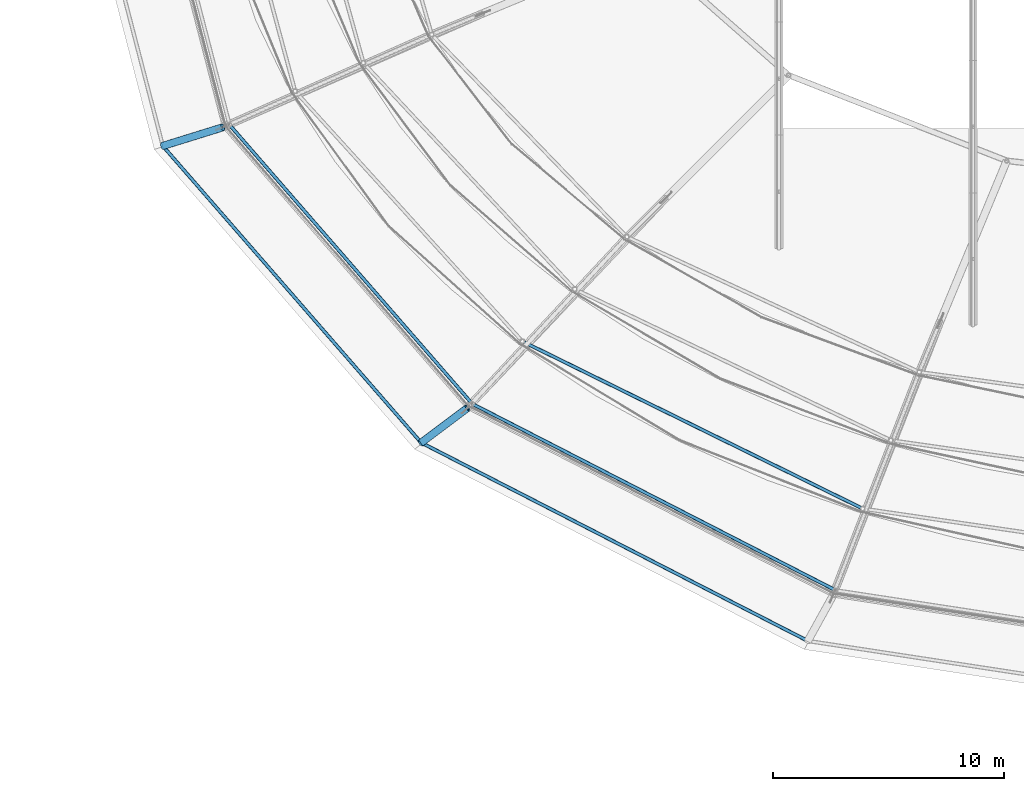
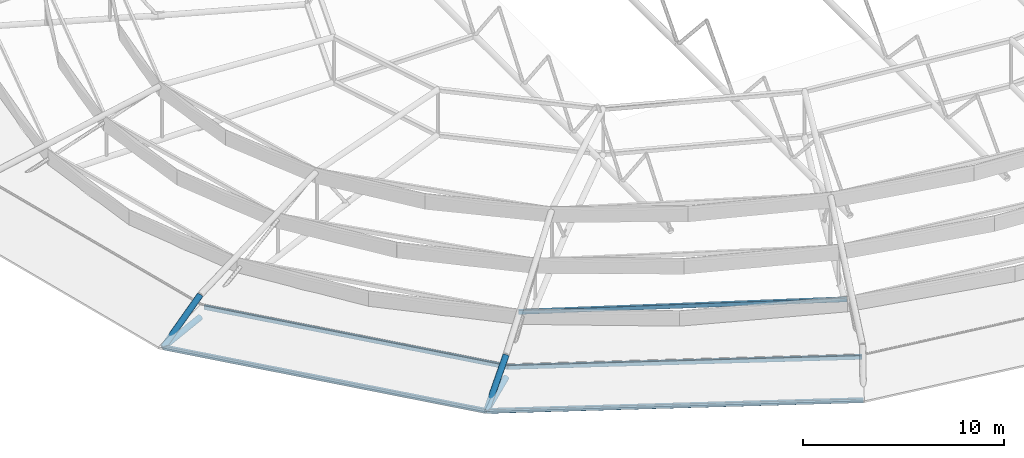
# One storey, part 6 of 134: 5 beams, 4 members.
"""IFC4 building model written with IfcOpenShell, lengths in metres."""

from ifc_helpers import new_model, si_unit, derived_unit, direction, frame, origin, origin_2d, place, context, subcontext, project, spatial, hollow_rectangle, hollow_circle, extrude, material, material_profile, profile_set, type_object, element, save


model = new_model("IFC4")

# Units and contexts
model_context = context("Model", 3, precision=1e-05, world=origin(), true_north=direction((0.0, 1.0)))
body_context = subcontext(model_context, "Body", "Model", "MODEL_VIEW")
ifc_project = project(units=[si_unit("LENGTHUNIT", "METRE"), si_unit("AREAUNIT", "SQUARE_METRE"), si_unit("VOLUMEUNIT", "CUBIC_METRE"), si_unit("PLANEANGLEUNIT", "RADIAN"), si_unit("MASSUNIT", "GRAM", prefix="KILO"), derived_unit("THERMALTRANSMITTANCEUNIT", [(si_unit("MASSUNIT", "GRAM", prefix="KILO"), 1), (si_unit("TIMEUNIT", "SECOND"), -3), (si_unit("THERMODYNAMICTEMPERATUREUNIT", "KELVIN"), -1)])], contexts=[model_context])

# Site, building, storey
site_placement = place(None, origin())
site = spatial("IfcSite", under=ifc_project, at=site_placement, CompositionType="ELEMENT")
building_placement = place(site_placement, origin())
building = spatial("IfcBuilding", under=site, at=building_placement, Name="Kharveza Railside Sports Centre", CompositionType="ELEMENT")
storey_placement = place(building_placement, frame((0.0, 0.0, 12.89990234375)))
storey = spatial("IfcBuildingStorey", under=building, at=storey_placement, Name="L03", CompositionType="ELEMENT", Elevation=12.89990234375)

# Beams
ifc_material = material(Name="Steel S355J2", Category="steel")
ifc_material_profile_1 = material_profile(ifc_material, hollow_rectangle(XDim=0.14990234375, YDim=0.25, WallThickness=0.010009765625, InnerFilletRadius=0.010009765625, OuterFilletRadius=0.02001953125, at=origin_2d()), Name="RHS 150x250x10.0")
ifc_profile_set_1 = profile_set([ifc_material_profile_1], Name="Steel S355J2")
beam_type = type_object("IfcBeamType", Name="BM-SP04", PredefinedType="SPANDREL", material=ifc_profile_set_1)
beam_1_placement = place(storey_placement, frame((9.819580078125, 36.15380859375, 0.405029296875), z_axis=(0.656355408567, -0.754451839181, 0.0), x_axis=(0.754451839181, 0.656355408567, 0.0)))
element("IfcBeam", 1, at=beam_1_placement, inside=storey, type_object=beam_type, Name="BM-LIDRING-S1-10", PredefinedType="SPANDREL", context=body_context, shape_type="SweptSolid", body=[
    extrude(hollow_rectangle(XDim=0.14990234375, YDim=0.25, WallThickness=0.010009765625, InnerFilletRadius=0.010009765625, OuterFilletRadius=0.02001953125, at=origin_2d()), origin(), (0.0, 0.0, 1.0), 16.0078125),
])
beam_2_placement = place(storey_placement, frame((20.326416015625, 24.07666015625, 0.405029296875), z_axis=(0.889684255974, -0.456576307612, 0.0), x_axis=(0.456576307612, 0.889684255974, 0.0)))
element("IfcBeam", 2, at=beam_2_placement, inside=storey, type_object=beam_type, Name="BM-LIDRING-S1-11", PredefinedType="SPANDREL", context=body_context, shape_type="SweptSolid", body=[
    extrude(hollow_rectangle(XDim=0.14990234375, YDim=0.25, WallThickness=0.010009765625, InnerFilletRadius=0.010009765625, OuterFilletRadius=0.02001953125, at=origin_2d()), origin(), (0.0, 0.0, 1.0), 17.674560546875),
])
beam_3_placement = place(storey_placement, frame((22.497314453125, 26.78271484375, 1.35498046875), z_axis=(0.897432424779, -0.441151949962, 0.0), x_axis=(0.441151949962, 0.897432424779, 0.0)))
element("IfcBeam", 3, at=beam_3_placement, inside=storey, type_object=beam_type, Name="BM-LIDRING-S2-11", PredefinedType="SPANDREL", context=body_context, shape_type="SweptSolid", body=[
    extrude(hollow_rectangle(XDim=0.14990234375, YDim=0.25, WallThickness=0.010009765625, InnerFilletRadius=0.010009765625, OuterFilletRadius=0.02001953125, at=origin_2d()), origin(), (0.0, 0.0, 1.0), 16.412109375),
])
beam_4_placement = place(storey_placement, frame((6.927734375, 35.245849609375, -0.47998046875), z_axis=(0.656649810387, -0.754195615553, 0.0), x_axis=(0.754195615553, 0.656649810387, 0.0)))
element("IfcBeam", 4, at=beam_4_placement, inside=storey, type_object=beam_type, Name="BM-LIDRING-RIM-10", PredefinedType="SPANDREL", context=body_context, shape_type="SweptSolid", body=[
    extrude(hollow_rectangle(XDim=0.14990234375, YDim=0.25, WallThickness=0.010009765625, InnerFilletRadius=0.010009765625, OuterFilletRadius=0.02001953125, at=origin_2d()), origin(), (0.0, 0.0, 1.0), 17.0341796875),
])
beam_5_placement = place(storey_placement, frame((18.11328125, 22.398681640625, -0.47998046875), z_axis=(0.889828406465, -0.456295306844, 0.0), x_axis=(0.456295306844, 0.889828406465, 0.0)))
element("IfcBeam", 5, at=beam_5_placement, inside=storey, type_object=beam_type, Name="BM-LIDRING-RIM-11", PredefinedType="SPANDREL", context=body_context, shape_type="SweptSolid", body=[
    extrude(hollow_rectangle(XDim=0.14990234375, YDim=0.25, WallThickness=0.010009765625, InnerFilletRadius=0.010009765625, OuterFilletRadius=0.02001953125, at=origin_2d()), origin(), (0.0, 0.0, 1.0), 18.81298828125),
])

# Members
ifc_material_profile_2 = material_profile(ifc_material, hollow_circle(Radius=0.161865234375, WallThickness=0.01611328125, at=origin_2d()), Name="CHS 323.9x16.0")
ifc_profile_set_2 = profile_set([ifc_material_profile_2], Name="Steel S355J2")
member_type = type_object("IfcMemberType", Name="MB-CH02", PredefinedType="CHORD", material=ifc_profile_set_2)
member_1_placement = place(storey_placement, frame((9.5146484375, 36.04931640625, -0.0498046875), z_axis=(-0.943179027978, -0.292940938191, -0.15684045369), x_axis=(0.296611820086, -0.954998129938, 0.0)))
element("IfcMember", 6, at=member_1_placement, inside=storey, type_object=member_type, Name="MB-OUT-BC3-10", PredefinedType="CHORD", context=body_context, shape_type="SweptSolid", body=[
    extrude(hollow_circle(Radius=0.161865234375, WallThickness=0.01611328125, at=origin_2d()), origin(), (0.0, 0.0, 1.0), 2.74267578125),
])
member_2_placement = place(storey_placement, frame((9.5146484375, 36.04931640625, 1.300048828125), z_axis=(-0.798103888629, -0.24788221003, -0.5491671812), x_axis=(0.296611820086, -0.954998129938, 0.0)))
element("IfcMember", 7, at=member_2_placement, inside=storey, type_object=member_type, Name="MB-OUT-TC3-10", PredefinedType="CHORD", context=body_context, shape_type="SweptSolid", body=[
    extrude(hollow_circle(Radius=0.161865234375, WallThickness=0.01611328125, at=origin_2d()), origin(), (0.0, 0.0, 1.0), 3.2412109375),
])
member_3_placement = place(storey_placement, frame((20.09326171875, 23.883544921875, -0.0498046875), z_axis=(-0.788205736048, -0.591105707355, -0.171247658066), x_axis=(0.599968432631, -0.800023674554, 0.0)))
element("IfcMember", 8, at=member_3_placement, inside=storey, type_object=member_type, Name="MB-OUT-BC3-11", PredefinedType="CHORD", context=body_context, shape_type="SweptSolid", body=[
    extrude(hollow_circle(Radius=0.161865234375, WallThickness=0.01611328125, at=origin_2d()), origin(), (0.0, 0.0, 1.0), 2.511962890625),
])
member_4_placement = place(storey_placement, frame((20.09326171875, 23.883544921875, 1.300048828125), z_axis=(-0.649483085441, -0.487072271967, -0.583894103076), x_axis=(0.599968432631, -0.800023674554, 0.0)))
element("IfcMember", 9, at=member_4_placement, inside=storey, type_object=member_type, Name="MB-OUT-TC3-11", PredefinedType="CHORD", context=body_context, shape_type="SweptSolid", body=[
    extrude(hollow_circle(Radius=0.161865234375, WallThickness=0.01611328125, at=origin_2d()), origin(), (0.0, 0.0, 1.0), 3.048583984375),
])

save(model, "model.ifc")
